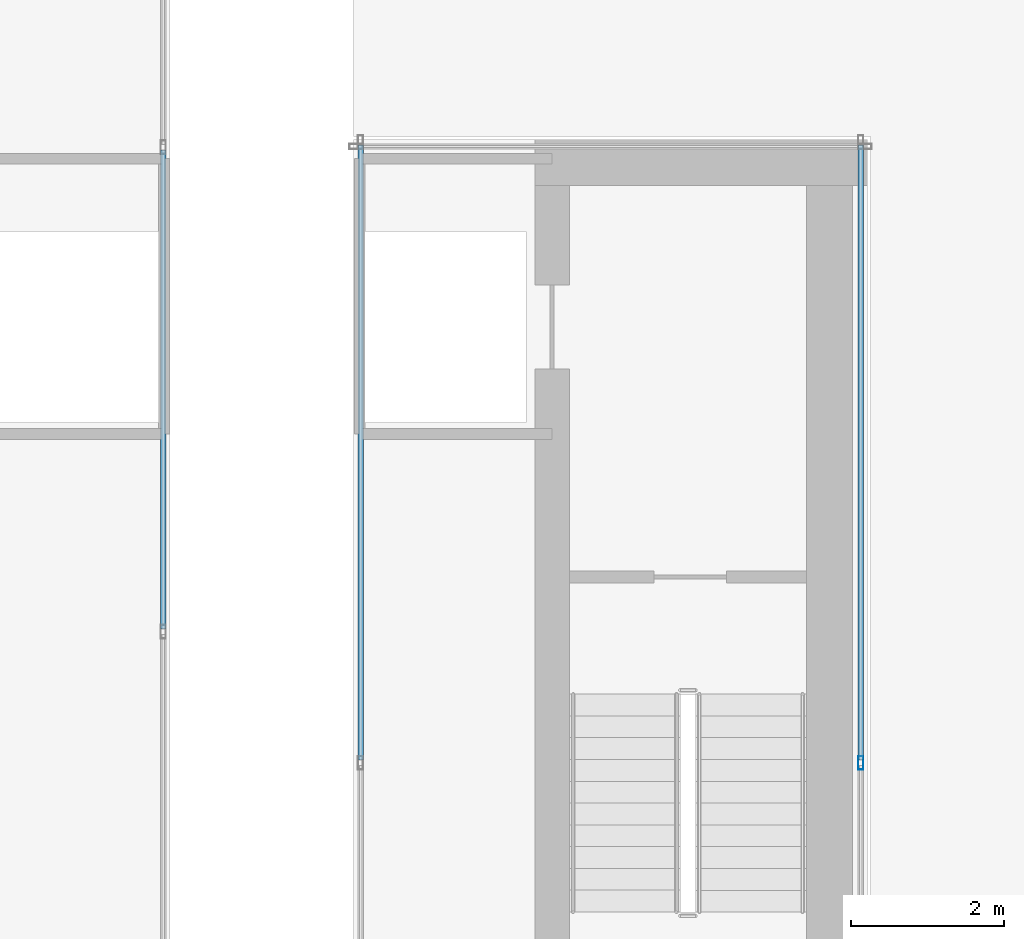
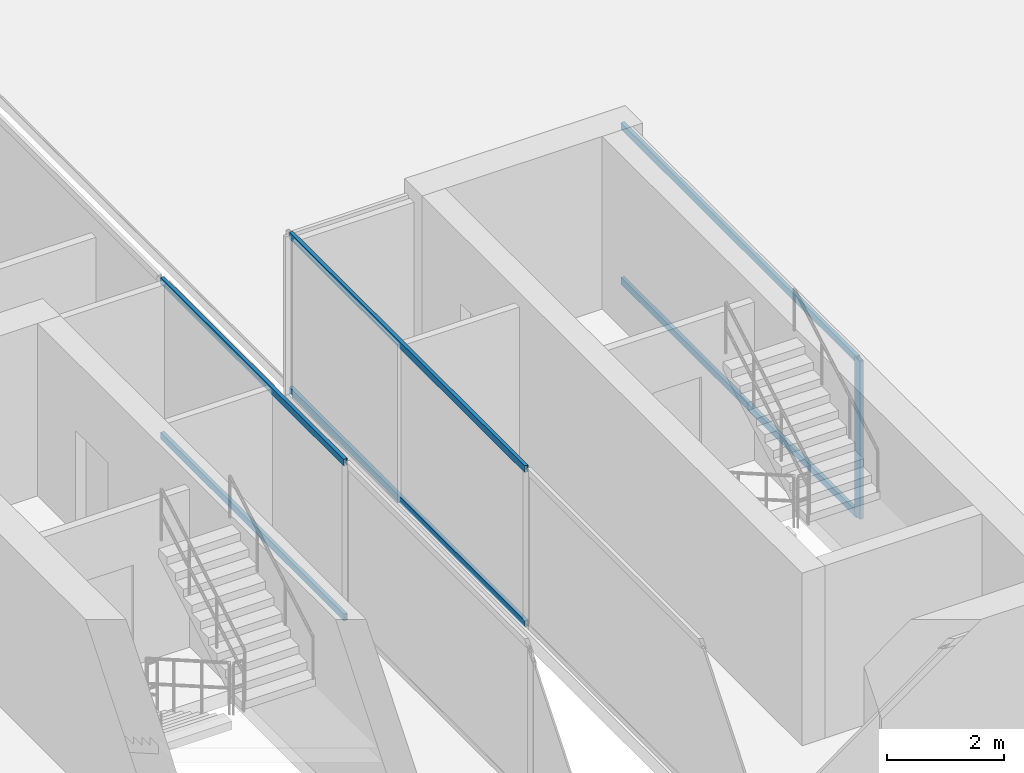
# One storey, part 6 of 16: 7 members, 3 elements without a shape of their own.
"""IFC4 building model written with IfcOpenShell, lengths in metres."""

from ifc_helpers import new_model, si_unit, direction, frame, origin, origin_2d, place, context, subcontext, project, spatial, hollow_rectangle, extrude, source, transform, mapped, material, material_profile, profile_set, type_object, type_shapes, element, aggregate, save


model = new_model("IFC4")

# Units and contexts
model_context = context("Model", 3, precision=1e-05, world=origin(), true_north=direction((0.0, 1.0)))
body_context = subcontext(model_context, "Body", "Model", "MODEL_VIEW")
ifc_project = project(units=[si_unit("LENGTHUNIT", "METRE"), si_unit("AREAUNIT", "SQUARE_METRE"), si_unit("VOLUMEUNIT", "CUBIC_METRE"), si_unit("PLANEANGLEUNIT", "RADIAN"), si_unit("MASSUNIT", "GRAM", prefix="KILO")], contexts=[model_context])

# Site, building, storey
site_placement = place(None, origin())
site = spatial("IfcSite", under=ifc_project, at=site_placement, CompositionType="ELEMENT")
building_placement = place(site_placement, origin())
building = spatial("IfcBuilding", under=site, at=building_placement, Name="Krantzveldt Concourse Tower", CompositionType="ELEMENT")
storey_placement = place(building_placement, frame((0.0, 0.0, 378.25)))
storey = spatial("IfcBuildingStorey", under=building, at=storey_placement, Name="L93", CompositionType="ELEMENT", Elevation=378.25)

# Curtain wall, members
ifc_material = material(Name="Anodised aluminium 6063-T6", Category="aluminium")
curtain_wall_type = type_object("IfcCurtainWallType", Name="CW7", PredefinedType="USERDEFINED", material=ifc_material)
curtain_wall_1_placement = place(storey_placement, origin())
curtain_wall_1 = element("IfcCurtainWall", 1, at=curtain_wall_1_placement, inside=storey, type_object=curtain_wall_type, Name="CW-L93-WEST-01", ObjectType="UNITISED CURTAIN WALL", PredefinedType="USERDEFINED")
ifc_material_profile_1 = material_profile(ifc_material, hollow_rectangle(XDim=0.070068359375, YDim=0.139892578125, WallThickness=0.0048828125, at=origin_2d()), Name="Anodised aluminium 6063-T6", Category="aluminium")
ifc_profile_set_1 = profile_set([ifc_material_profile_1], Name="Anodised aluminium 6063-T6 - ALU-TRAN 140x70x5")
member_type_1 = type_object("IfcMemberType", Name="CW-TRN-150", PredefinedType="USERDEFINED", material=ifc_profile_set_1)
shared_shape_1 = source(origin(), body_context, "Body", "SweptSolid", [
    extrude(hollow_rectangle(XDim=0.070068359375, YDim=0.139892578125, WallThickness=0.0048828125, at=origin_2d()), origin(), (0.0, 0.0, 1.0), 6.263427734375),
])
member_1_placement = place(storey_placement, frame((34.7099609375, 20.401611328125, 0.034912109375), z_axis=(0.0, 1.0, 0.0), x_axis=(-1.0, 0.0, 0.0)))
member_1 = element("IfcMember", 2, at=member_1_placement, type_object=member_type_1, Name="CW-CRN transom 3.1", ObjectType="TRANSOM", PredefinedType="USERDEFINED", context=body_context, shape_type="MappedRepresentation", body=[
    mapped(shared_shape_1, transform((0.0, 0.0, 0.0), x_axis=(1.0, 0.0, 0.0), y_axis=(0.0, 1.0, 0.0), z_axis=(0.0, 0.0, 1.0), scale=1.0)),
])
member_2_placement = place(storey_placement, frame((34.7099609375, 20.401611328125, 3.264892578125), z_axis=(0.0, 1.0, 0.0), x_axis=(-1.0, 0.0, 0.0)))
member_2 = element("IfcMember", 3, at=member_2_placement, type_object=member_type_1, Name="CW-CRN transom 3.2", ObjectType="TRANSOM", PredefinedType="USERDEFINED", context=body_context, shape_type="MappedRepresentation", body=[
    mapped(shared_shape_1, transform((0.0, 0.0, 0.0), x_axis=(1.0, 0.0, 0.0), y_axis=(0.0, 1.0, 0.0), z_axis=(0.0, 0.0, 1.0), scale=1.0)),
])
aggregate(curtain_wall_1, [member_1, member_2])

curtain_wall_2_placement = place(storey_placement, origin())
curtain_wall_2 = element("IfcCurtainWall", 4, at=curtain_wall_2_placement, inside=storey, type_object=curtain_wall_type, Name="CW-L93-EAST-01", ObjectType="UNITISED CURTAIN WALL", PredefinedType="USERDEFINED")
ifc_material_profile_2 = material_profile(ifc_material, hollow_rectangle(XDim=0.070068359375, YDim=0.179931640625, WallThickness=0.0048828125, at=origin_2d()), Name="Anodised aluminium 6063-T6", Category="aluminium")
ifc_profile_set_2 = profile_set([ifc_material_profile_2], Name="Anodised aluminium 6063-T6 - ALU-MULL 180x70x5")
member_type_2 = type_object("IfcMemberType", Name="CW-MUL-180", PredefinedType="MULLION", material=ifc_profile_set_2)
shared_shape_2 = source(origin(), body_context, "Body", "SweptSolid", [
    extrude(hollow_rectangle(XDim=0.070068359375, YDim=0.179931640625, WallThickness=0.0048828125, at=origin_2d()), origin(), (0.0, 0.0, 1.0), 3.300048828125),
])
type_shapes(member_type_2, [shared_shape_2])
member_3_placement = place(storey_placement, frame((43.830078125, 18.64990234375, 0.0), z_axis=(0.0, 0.0, 1.0), x_axis=(-1.0, 0.0, 0.0)))
member_3 = element("IfcMember", 5, at=member_3_placement, type_object=member_type_2, Name="CW-CRN mullion 2", PredefinedType="MULLION", context=body_context, shape_type="MappedRepresentation", body=[
    mapped(shared_shape_2, transform((0.0, 0.0, 0.0), x_axis=(1.0, 0.0, 0.0), y_axis=(0.0, 1.0, 0.0), z_axis=(0.0, 0.0, 1.0), scale=1.0)),
])
shared_shape_3 = source(origin(), body_context, "Body", "SweptSolid", [
    extrude(hollow_rectangle(XDim=0.070068359375, YDim=0.139892578125, WallThickness=0.0048828125, at=origin_2d()), origin(), (0.0, 0.0, 1.0), 8.044921875),
])
type_shapes(member_type_1, [shared_shape_1, shared_shape_3])
member_4_placement = place(storey_placement, frame((43.830078125, 18.68505859375, 0.034912109375), z_axis=(0.0, 1.0, 0.0), x_axis=(-1.0, 0.0, 0.0)))
member_4 = element("IfcMember", 6, at=member_4_placement, type_object=member_type_1, Name="CW-CRN transom 2.1", ObjectType="TRANSOM", PredefinedType="USERDEFINED", context=body_context, shape_type="MappedRepresentation", body=[
    mapped(shared_shape_3, transform((0.0, 0.0, 0.0), x_axis=(1.0, 0.0, 0.0), y_axis=(0.0, 1.0, 0.0), z_axis=(0.0, 0.0, 1.0), scale=1.0)),
])
member_5_placement = place(storey_placement, frame((43.830078125, 18.68505859375, 3.264892578125), z_axis=(0.0, 1.0, 0.0), x_axis=(-1.0, 0.0, 0.0)))
member_5 = element("IfcMember", 7, at=member_5_placement, type_object=member_type_1, Name="CW-CRN transom 2.2", ObjectType="TRANSOM", PredefinedType="USERDEFINED", context=body_context, shape_type="MappedRepresentation", body=[
    mapped(shared_shape_3, transform((0.0, 0.0, 0.0), x_axis=(1.0, 0.0, 0.0), y_axis=(0.0, 1.0, 0.0), z_axis=(0.0, 0.0, 1.0), scale=1.0)),
])
aggregate(curtain_wall_2, [member_3, member_4, member_5])

curtain_wall_3_placement = place(storey_placement, origin())
curtain_wall_3 = element("IfcCurtainWall", 8, at=curtain_wall_3_placement, inside=storey, type_object=curtain_wall_type, Name="CW-L93-EAST-03", ObjectType="UNITISED CURTAIN WALL", PredefinedType="USERDEFINED")
member_6_placement = place(storey_placement, frame((37.2900390625, 26.72998046875, 0.034912109375), z_axis=(0.0, -1.0, 0.0), x_axis=(1.0, 0.0, 0.0)))
member_6 = element("IfcMember", 9, at=member_6_placement, type_object=member_type_1, Name="CW-CRN transom 1.1", ObjectType="TRANSOM", PredefinedType="USERDEFINED", context=body_context, shape_type="MappedRepresentation", body=[
    mapped(shared_shape_3, transform((0.0, 0.0, 0.0), x_axis=(1.0, 0.0, 0.0), y_axis=(0.0, 1.0, 0.0), z_axis=(0.0, 0.0, 1.0), scale=1.0)),
])
member_7_placement = place(storey_placement, frame((37.2900390625, 26.72998046875, 3.264892578125), z_axis=(0.0, -1.0, 0.0), x_axis=(1.0, 0.0, 0.0)))
member_7 = element("IfcMember", 10, at=member_7_placement, type_object=member_type_1, Name="CW-CRN transom 1.2", ObjectType="TRANSOM", PredefinedType="USERDEFINED", context=body_context, shape_type="MappedRepresentation", body=[
    mapped(shared_shape_3, transform((0.0, 0.0, 0.0), x_axis=(1.0, 0.0, 0.0), y_axis=(0.0, 1.0, 0.0), z_axis=(0.0, 0.0, 1.0), scale=1.0)),
])
aggregate(curtain_wall_3, [member_6, member_7])

save(model, "model.ifc")
